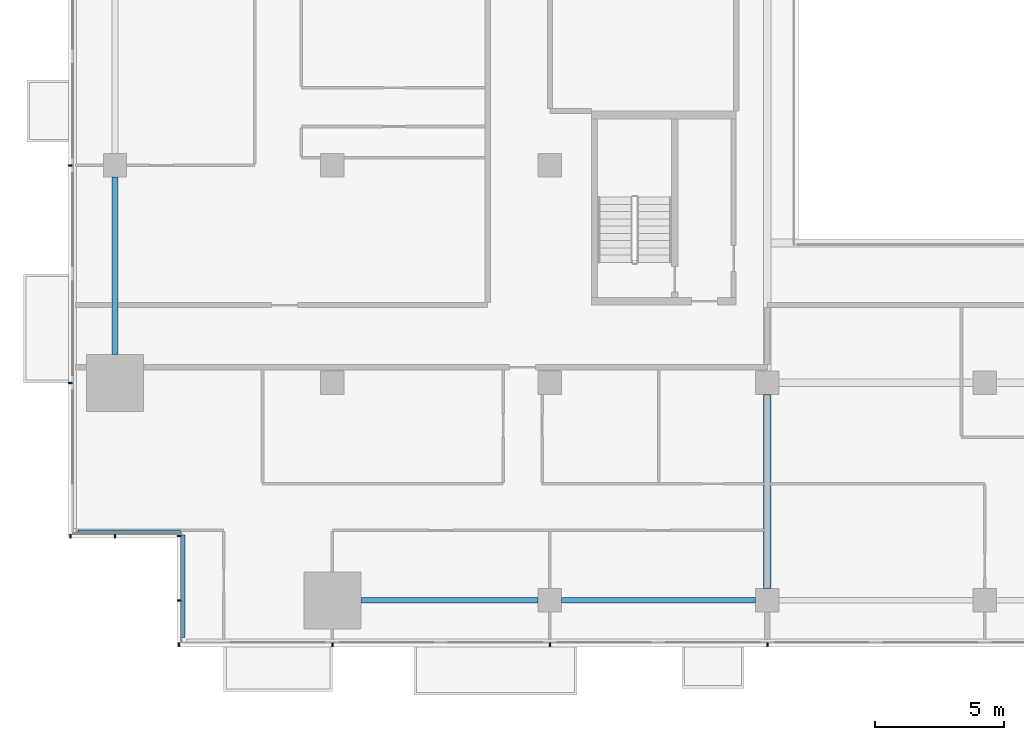
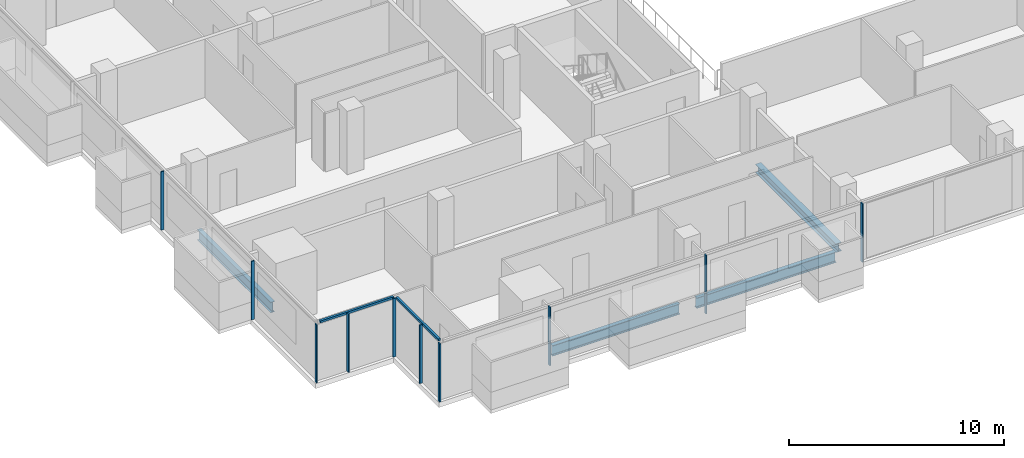
# One storey, part 2 of 29: 12 members, 4 beams, 4 elements without a shape of their own.
"""IFC4 building model written with IfcOpenShell, lengths in metres."""

from ifc_helpers import new_model, si_unit, direction, frame, origin, origin_2d, place, context, subcontext, project, spatial, rectangle, i_section, extrude, material, material_profile, profile_set, type_object, element, aggregate, save


model = new_model("IFC4")

# Units and contexts
model_context = context("Model", 3, precision=1e-05, world=origin(), true_north=direction((0.0, 1.0)))
body_context = subcontext(model_context, "Body", "Model", "MODEL_VIEW")
ifc_project = project(units=[si_unit("LENGTHUNIT", "METRE"), si_unit("AREAUNIT", "SQUARE_METRE"), si_unit("VOLUMEUNIT", "CUBIC_METRE"), si_unit("PLANEANGLEUNIT", "RADIAN"), si_unit("MASSUNIT", "GRAM", prefix="KILO")], contexts=[model_context])

# Site, building, storey
site_placement = place(None, origin())
site = spatial("IfcSite", under=ifc_project, at=site_placement, CompositionType="ELEMENT")
building_placement = place(site_placement, origin())
building = spatial("IfcBuilding", under=site, at=building_placement, Name="Saffron Gate Tower", CompositionType="ELEMENT")
storey_placement = place(building_placement, frame((0.0, 0.0, 48.0)))
storey = spatial("IfcBuildingStorey", under=building, at=storey_placement, Name="L10", CompositionType="ELEMENT", Elevation=48.0)

# Beams
ifc_material_1 = material(Name="Structural steel S355", Category="steel")
ifc_material_profile_1 = material_profile(ifc_material_1, i_section(OverallWidth=0.219970703125, OverallDepth=0.60009765625, WebThickness=0.011962890625, FlangeThickness=0.01904296875, FilletRadius=0.02392578125, at=origin_2d()))
ifc_profile_set_1 = profile_set([ifc_material_profile_1], Name="Structural steel S355")
beam_type_1 = type_object("IfcBeamType", Name="B16 IPE 600", PredefinedType="SPANDREL", material=ifc_profile_set_1)
for number, where, z_axis, x_axis, name in (
    (1, (49.800048828125, 41.300048828125, -0.580078125), (0.0, 1.0, 0.0), (-1.0, 0.0, 0.0), "B16 SPANDREL BEAM"),
    (2, (59.300048828125, 31.800048828125, -0.580078125), (1.0, 0.0, 0.0), (0.0, 1.0, 0.0), "B16 SPANDREL BEAM"),
):
    element("IfcBeam", number, at=place(storey_placement, frame(where, z_axis=z_axis, x_axis=x_axis)), inside=storey, type_object=beam_type_1, Name=name, PredefinedType="SPANDREL", context=body_context, shape_type="SweptSolid", body=[
        extrude(i_section(OverallWidth=0.219970703125, OverallDepth=0.60009765625, WebThickness=0.011962890625, FlangeThickness=0.01904296875, FilletRadius=0.02392578125, at=origin_2d()), origin(), (0.0, 0.0, 1.0), 6.849853515625),
    ])
beam_1_placement = place(storey_placement, frame((67.050048828125, 31.800048828125, -0.580078125), z_axis=(1.0, 0.0, 0.0), x_axis=(0.0, 1.0, 0.0)))
element("IfcBeam", 3, at=beam_1_placement, inside=storey, type_object=beam_type_1, Name="B16 SPANDREL BEAM", PredefinedType="SPANDREL", context=body_context, shape_type="SweptSolid", body=[
    extrude(i_section(OverallWidth=0.219970703125, OverallDepth=0.60009765625, WebThickness=0.011962890625, FlangeThickness=0.01904296875, FilletRadius=0.02392578125, at=origin_2d()), origin(), (0.0, 0.0, 1.0), 7.5),
])
ifc_material_profile_2 = material_profile(ifc_material_1, i_section(OverallWidth=0.300048828125, OverallDepth=0.489990234375, WebThickness=0.011962890625, FlangeThickness=0.02294921875, FilletRadius=0.027099609375, at=origin_2d()))
ifc_profile_set_2 = profile_set([ifc_material_profile_2], Name="Structural steel S355")
beam_type_2 = type_object("IfcBeamType", Name="B8 HEA 500", PredefinedType="BEAM", material=ifc_profile_set_2)
beam_2_placement = place(storey_placement, frame((75.0, 32.25, -0.52490234375), z_axis=(0.0, 1.0, 0.0), x_axis=(-1.0, 0.0, 0.0)))
element("IfcBeam", 4, at=beam_2_placement, inside=storey, type_object=beam_type_2, Name="B8 FLOOR GIRDER", PredefinedType="BEAM", context=body_context, shape_type="SweptSolid", body=[
    extrude(i_section(OverallWidth=0.300048828125, OverallDepth=0.489990234375, WebThickness=0.011962890625, FlangeThickness=0.02294921875, FilletRadius=0.027099609375, at=origin_2d()), origin(), (0.0, 0.0, 1.0), 7.5),
])

# Curtain wall, members
ifc_material_2 = material(Name="Aluminium, bronze anodised", Category="aluminium")
curtain_wall_type_1 = type_object("IfcCurtainWallType", Name="CWS1 curtain wall front facade", PredefinedType="NOTDEFINED", material=ifc_material_2)
curtain_wall_1_placement = place(storey_placement, origin())
curtain_wall_1 = element("IfcCurtainWall", 5, at=curtain_wall_1_placement, inside=storey, type_object=curtain_wall_type_1, Name="CWS1 run 1", PredefinedType="NOTDEFINED")
ifc_material_profile_3 = material_profile(ifc_material_2, rectangle(XDim=0.159912109375, YDim=0.06005859375, at=origin_2d()))
ifc_profile_set_3 = profile_set([ifc_material_profile_3], Name="Aluminium, bronze anodised")
member_type_1 = type_object("IfcMemberType", Name="CWS1 mullion 60x160", PredefinedType="MULLION", material=ifc_profile_set_3)
member_1_placement = place(storey_placement, frame((52.280029296875, 30.080078125, 0.0), z_axis=(0.0, 0.0, 1.0), x_axis=(0.0, 1.0, 0.0)))
member_1 = element("IfcMember", 6, at=member_1_placement, type_object=member_type_1, Name="CWS1 mullion 1", PredefinedType="MULLION", context=body_context, shape_type="SweptSolid", body=[
    extrude(rectangle(XDim=0.159912109375, YDim=0.06005859375, at=origin_2d()), origin(), (0.0, 0.0, 1.0), 3.320068359375),
])
member_2_placement = place(storey_placement, frame((58.199951171875, 30.080078125, 0.0), z_axis=(0.0, 0.0, 1.0), x_axis=(0.0, 1.0, 0.0)))
member_2 = element("IfcMember", 7, at=member_2_placement, type_object=member_type_1, Name="CWS1 mullion 2", PredefinedType="MULLION", context=body_context, shape_type="SweptSolid", body=[
    extrude(rectangle(XDim=0.159912109375, YDim=0.06005859375, at=origin_2d()), origin(), (0.0, 0.0, 1.0), 3.320068359375),
])
member_3_placement = place(storey_placement, frame((66.60009765625, 30.080078125, 0.0), z_axis=(0.0, 0.0, 1.0), x_axis=(0.0, 1.0, 0.0)))
member_3 = element("IfcMember", 8, at=member_3_placement, type_object=member_type_1, Name="CWS1 mullion 3", PredefinedType="MULLION", context=body_context, shape_type="SweptSolid", body=[
    extrude(rectangle(XDim=0.159912109375, YDim=0.06005859375, at=origin_2d()), origin(), (0.0, 0.0, 1.0), 3.320068359375),
])
member_4_placement = place(storey_placement, frame((75.0, 30.080078125, 0.0), z_axis=(0.0, 0.0, 1.0), x_axis=(0.0, 1.0, 0.0)))
member_4 = element("IfcMember", 9, at=member_4_placement, type_object=member_type_1, Name="CWS1 mullion 4", PredefinedType="MULLION", context=body_context, shape_type="SweptSolid", body=[
    extrude(rectangle(XDim=0.159912109375, YDim=0.06005859375, at=origin_2d()), origin(), (0.0, 0.0, 1.0), 3.320068359375),
])
aggregate(curtain_wall_1, [member_1, member_2, member_3, member_4])

curtain_wall_type_2 = type_object("IfcCurtainWallType", Name="CWS2 curtain wall side facades", PredefinedType="NOTDEFINED", material=ifc_material_2)
curtain_wall_2_placement = place(storey_placement, origin())
curtain_wall_2 = element("IfcCurtainWall", 10, at=curtain_wall_2_placement, inside=storey, type_object=curtain_wall_type_2, Name="CWS2 run 10", PredefinedType="NOTDEFINED")
ifc_material_profile_4 = material_profile(ifc_material_2, rectangle(XDim=0.159912109375, YDim=0.06005859375, at=origin_2d()))
ifc_profile_set_4 = profile_set([ifc_material_profile_4], Name="Aluminium, bronze anodised")
member_type_2 = type_object("IfcMemberType", Name="CWS2 mullion 60x160", PredefinedType="MULLION", material=ifc_profile_set_4)
member_5_placement = place(storey_placement, frame((48.080078125, 48.60009765625, 0.0), z_axis=(0.0, 0.0, 1.0), x_axis=(1.0, 0.0, 0.0)))
member_5 = element("IfcMember", 11, at=member_5_placement, type_object=member_type_2, Name="CWS2 mullion 4", PredefinedType="MULLION", context=body_context, shape_type="SweptSolid", body=[
    extrude(rectangle(XDim=0.159912109375, YDim=0.06005859375, at=origin_2d()), origin(), (0.0, 0.0, 1.0), 3.320068359375),
])
member_6_placement = place(storey_placement, frame((48.080078125, 40.199951171875, 0.0), z_axis=(0.0, 0.0, 1.0), x_axis=(1.0, 0.0, 0.0)))
member_6 = element("IfcMember", 12, at=member_6_placement, type_object=member_type_2, Name="CWS2 mullion 5", PredefinedType="MULLION", context=body_context, shape_type="SweptSolid", body=[
    extrude(rectangle(XDim=0.159912109375, YDim=0.06005859375, at=origin_2d()), origin(), (0.0, 0.0, 1.0), 3.320068359375),
])
aggregate(curtain_wall_2, [member_5, member_6])

# Curtain wall, member
curtain_wall_type_3 = type_object("IfcCurtainWallType", Name="CWS4 curtain wall corner returns", PredefinedType="NOTDEFINED", material=ifc_material_2)
curtain_wall_3_placement = place(storey_placement, origin())
curtain_wall_3 = element("IfcCurtainWall", 13, at=curtain_wall_3_placement, inside=storey, type_object=curtain_wall_type_3, Name="CWS4 run 11", PredefinedType="NOTDEFINED")
ifc_material_profile_5 = material_profile(ifc_material_2, rectangle(XDim=0.1201171875, YDim=0.1201171875, at=origin_2d()))
ifc_profile_set_5 = profile_set([ifc_material_profile_5], Name="Aluminium, bronze anodised")
member_type_3 = type_object("IfcMemberType", Name="CWS4 head transom", PredefinedType="USERDEFINED", material=ifc_profile_set_5)
member_7_placement = place(storey_placement, frame((48.367919921875, 34.447998046875, 3.260009765625), z_axis=(1.0, 0.0, 0.0), x_axis=(0.0, 1.0, 0.0)))
member_7 = element("IfcMember", 14, at=member_7_placement, type_object=member_type_3, Name="CWS4 head transom", ObjectType="TRANSOM", PredefinedType="USERDEFINED", context=body_context, shape_type="SweptSolid", body=[
    extrude(rectangle(XDim=0.1201171875, YDim=0.1201171875, at=origin_2d()), origin(), (0.0, 0.0, 1.0), 3.9599609375),
])

curtain_wall_4_placement = place(storey_placement, origin())
curtain_wall_4 = element("IfcCurtainWall", 15, at=curtain_wall_4_placement, inside=storey, type_object=curtain_wall_type_3, Name="CWS4 run 12", PredefinedType="NOTDEFINED")
member_8_placement = place(storey_placement, frame((52.447998046875, 34.327880859375, 3.260009765625), z_axis=(0.0, -1.0, 0.0), x_axis=(1.0, 0.0, 0.0)))
member_8 = element("IfcMember", 16, at=member_8_placement, type_object=member_type_3, Name="CWS4 head transom", ObjectType="TRANSOM", PredefinedType="USERDEFINED", context=body_context, shape_type="SweptSolid", body=[
    extrude(rectangle(XDim=0.1201171875, YDim=0.1201171875, at=origin_2d()), origin(), (0.0, 0.0, 1.0), 3.9599609375),
])

# Member
ifc_material_profile_6 = material_profile(ifc_material_2, rectangle(XDim=0.159912109375, YDim=0.06005859375, at=origin_2d()))
ifc_profile_set_6 = profile_set([ifc_material_profile_6], Name="Aluminium, bronze anodised")
member_type_4 = type_object("IfcMemberType", Name="CWS4 mullion 60x160", PredefinedType="MULLION", material=ifc_profile_set_6)
member_9_placement = place(storey_placement, frame((48.080078125, 34.280029296875, 0.0), z_axis=(0.0, 0.0, 1.0), x_axis=(0.0, 1.0, 0.0)))
member_9 = element("IfcMember", 17, at=member_9_placement, type_object=member_type_4, Name="CWS4 mullion 1", PredefinedType="MULLION", context=body_context, shape_type="SweptSolid", body=[
    extrude(rectangle(XDim=0.159912109375, YDim=0.06005859375, at=origin_2d()), origin(), (0.0, 0.0, 1.0), 3.320068359375),
])

member_10_placement = place(storey_placement, frame((49.800048828125, 34.280029296875, 0.0), z_axis=(0.0, 0.0, 1.0), x_axis=(0.0, 1.0, 0.0)))
member_10 = element("IfcMember", 18, at=member_10_placement, type_object=member_type_4, Name="CWS4 mullion 2", PredefinedType="MULLION", context=body_context, shape_type="SweptSolid", body=[
    extrude(rectangle(XDim=0.159912109375, YDim=0.06005859375, at=origin_2d()), origin(), (0.0, 0.0, 1.0), 3.320068359375),
])

aggregate(curtain_wall_3, [member_9, member_10, member_7])

member_11_placement = place(storey_placement, frame((52.280029296875, 34.280029296875, 0.0), z_axis=(0.0, 0.0, 1.0), x_axis=(1.0, 0.0, 0.0)))
member_11 = element("IfcMember", 19, at=member_11_placement, type_object=member_type_4, Name="CWS4 mullion 1", PredefinedType="MULLION", context=body_context, shape_type="SweptSolid", body=[
    extrude(rectangle(XDim=0.159912109375, YDim=0.06005859375, at=origin_2d()), origin(), (0.0, 0.0, 1.0), 3.320068359375),
])

member_12_placement = place(storey_placement, frame((52.280029296875, 31.800048828125, 0.0), z_axis=(0.0, 0.0, 1.0), x_axis=(1.0, 0.0, 0.0)))
member_12 = element("IfcMember", 20, at=member_12_placement, type_object=member_type_4, Name="CWS4 mullion 2", PredefinedType="MULLION", context=body_context, shape_type="SweptSolid", body=[
    extrude(rectangle(XDim=0.159912109375, YDim=0.06005859375, at=origin_2d()), origin(), (0.0, 0.0, 1.0), 3.320068359375),
])

aggregate(curtain_wall_4, [member_11, member_12, member_8])

save(model, "model.ifc")
